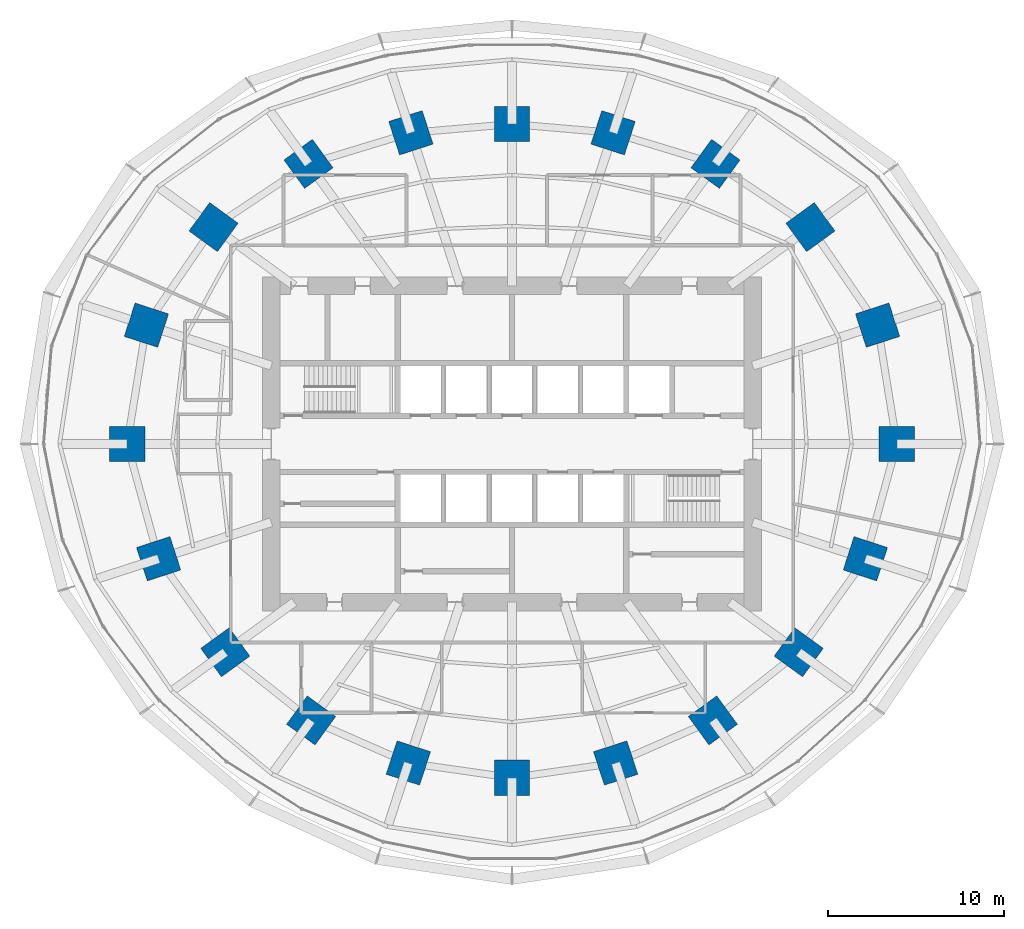
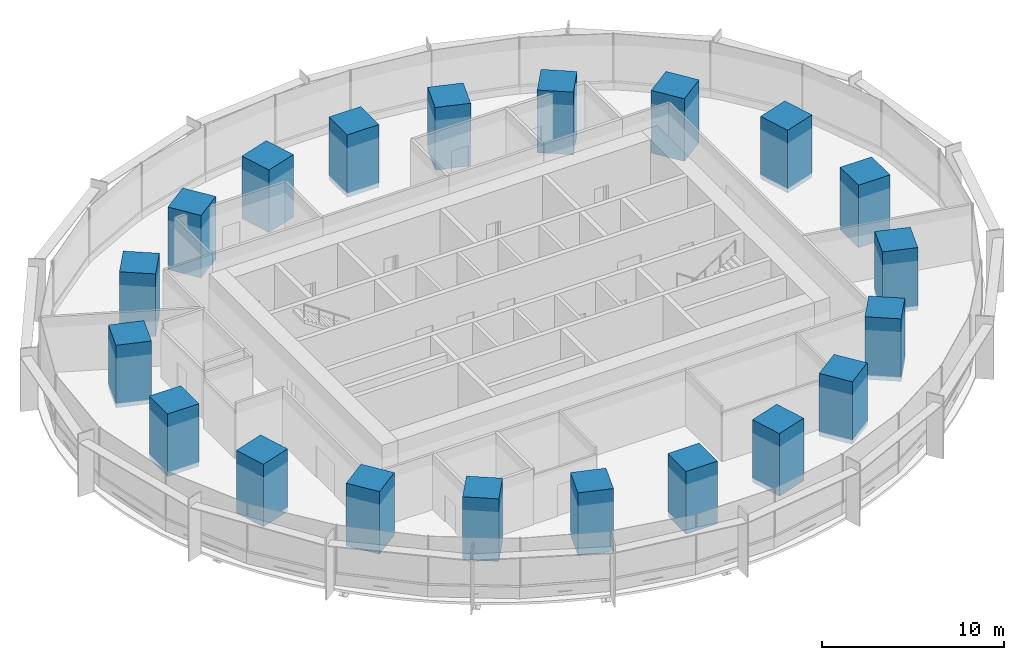
# One storey, part 1 of 15: 20 columns.
"""IFC4 building model written with IfcOpenShell, lengths in metres."""

from ifc_helpers import new_model, si_unit, direction, frame, origin, origin_2d, place, context, subcontext, project, spatial, rectangle, extrude, material, material_profile, profile_set, type_object, element, save


model = new_model("IFC4")

# Units and contexts
model_context = context("Model", 3, precision=1e-05, world=origin(), true_north=direction((0.0, 1.0)))
body_context = subcontext(model_context, "Body", "Model", "MODEL_VIEW")
ifc_project = project(units=[si_unit("LENGTHUNIT", "METRE"), si_unit("AREAUNIT", "SQUARE_METRE"), si_unit("VOLUMEUNIT", "CUBIC_METRE"), si_unit("PLANEANGLEUNIT", "RADIAN"), si_unit("MASSUNIT", "GRAM", prefix="KILO")], contexts=[model_context])

# Site, building, storey
site_placement = place(None, origin())
site = spatial("IfcSite", under=ifc_project, at=site_placement, CompositionType="ELEMENT")
building_placement = place(site_placement, origin())
building = spatial("IfcBuilding", under=site, at=building_placement, Name="Marramba Exchange Tower", CompositionType="ELEMENT")
storey_placement = place(building_placement, frame((0.0, 0.0, 32.199951171875)))
storey = spatial("IfcBuildingStorey", under=building, at=storey_placement, Name="L07", CompositionType="ELEMENT", Elevation=32.199951171875)

# Columns
ifc_material = material(Name="Concrete N50", Category="concrete")
ifc_material_profile = material_profile(ifc_material, rectangle(XDim=2.0, YDim=2.0, at=origin_2d()), Name="RC 2000x2000")
ifc_profile_set = profile_set([ifc_material_profile], Name="Concrete N50")
column_type = type_object("IfcColumnType", Name="Perimeter column RC 2000x2000 N50", PredefinedType="COLUMN", material=ifc_profile_set)
for number, where, z_axis, x_axis, name in (
    (1, (21.89990234375, 0.0, 0.0), (0.0, 0.0, 1.0), (1.0, 0.0, 0.0), "Column TC01 L07"),
    (2, (20.808349609375, 6.760986328125, 0.0), (0.0, 0.0, 1.0), (0.951056516295, 0.309016994375, 0.0), "Column TC02 L07"),
    (3, (16.98583984375, 12.3408203125, 0.0), (0.0, 0.0, 1.0), (0.809016994375, 0.587785252292, 0.0), "Column TC03 L07"),
    (4, (11.581298828125, 15.9404296875, 0.0), (0.0, 0.0, 1.0), (0.587785252292, 0.809016994375, 0.0), "Column TC04 L07"),
    (5, (5.75390625, 17.70849609375, 0.0), (0.0, 0.0, 1.0), (0.309016994375, 0.951056516295, 0.0), "Column TC05 L07"),
    (6, (0.0, 18.2041015625, 0.0), (0.0, 0.0, 1.0), (0.0, 1.0, 0.0), "Column TC06 L07"),
    (7, (-5.75390625, 17.70849609375, 0.0), (0.0, 0.0, 1.0), (-0.309016994375, 0.951056516295, 0.0), "Column TC07 L07"),
    (8, (-11.581298828125, 15.9404296875, 0.0), (0.0, 0.0, 1.0), (-0.587785252292, 0.809016994375, 0.0), "Column TC08 L07"),
    (9, (-16.98583984375, 12.3408203125, 0.0), (0.0, 0.0, 1.0), (-0.809016994375, 0.587785252292, 0.0), "Column TC09 L07"),
    (10, (-20.808349609375, 6.760986328125, 0.0), (0.0, 0.0, 1.0), (-0.951056516295, 0.309016994375, 0.0), "Column TC10 L07"),
    (11, (-21.89990234375, 0.0, 0.0), (0.0, 0.0, 1.0), (-1.0, 0.0, 0.0), "Column TC11 L07"),
    (12, (-20.109375, -6.533935546875, 0.0), (0.0, 0.0, 1.0), (-0.951056516295, -0.309016994375, 0.0), "Column TC12 L07"),
    (13, (-16.3154296875, -11.853759765625, 0.0), (0.0, 0.0, 1.0), (-0.809016994375, -0.587785252292, 0.0), "Column TC13 L07"),
    (14, (-11.430419921875, -15.732666015625, 0.0), (0.0, 0.0, 1.0), (-0.587785252292, -0.809016994375, 0.0), "Column TC14 L07"),
    (15, (-5.899658203125, -18.156982421875, 0.0), (0.0, 0.0, 1.0), (-0.309016994375, -0.951056516295, 0.0), "Column TC15 L07"),
    (16, (0.0, -18.99609375, 0.0), (0.0, 0.0, 1.0), (0.0, -1.0, 0.0), "Column TC16 L07"),
    (17, (5.899658203125, -18.156982421875, 0.0), (0.0, 0.0, 1.0), (0.309016994375, -0.951056516295, 0.0), "Column TC17 L07"),
    (18, (11.430419921875, -15.732666015625, 0.0), (0.0, 0.0, 1.0), (0.587785252292, -0.809016994375, 0.0), "Column TC18 L07"),
    (19, (16.3154296875, -11.853759765625, 0.0), (0.0, 0.0, 1.0), (0.809016994375, -0.587785252292, 0.0), "Column TC19 L07"),
    (20, (20.109375, -6.533935546875, 0.0), (0.0, 0.0, 1.0), (0.951056516295, -0.309016994375, 0.0), "Column TC20 L07"),
):
    element("IfcColumn", number, at=place(storey_placement, frame(where, z_axis=z_axis, x_axis=x_axis)), inside=storey, type_object=column_type, Name=name, PredefinedType="COLUMN", context=body_context, shape_type="SweptSolid", body=[
        extrude(rectangle(XDim=2.0, YDim=2.0, at=origin_2d()), origin(), (0.0, 0.0, 1.0), 4.199951171875),
    ])

save(model, "model.ifc")
